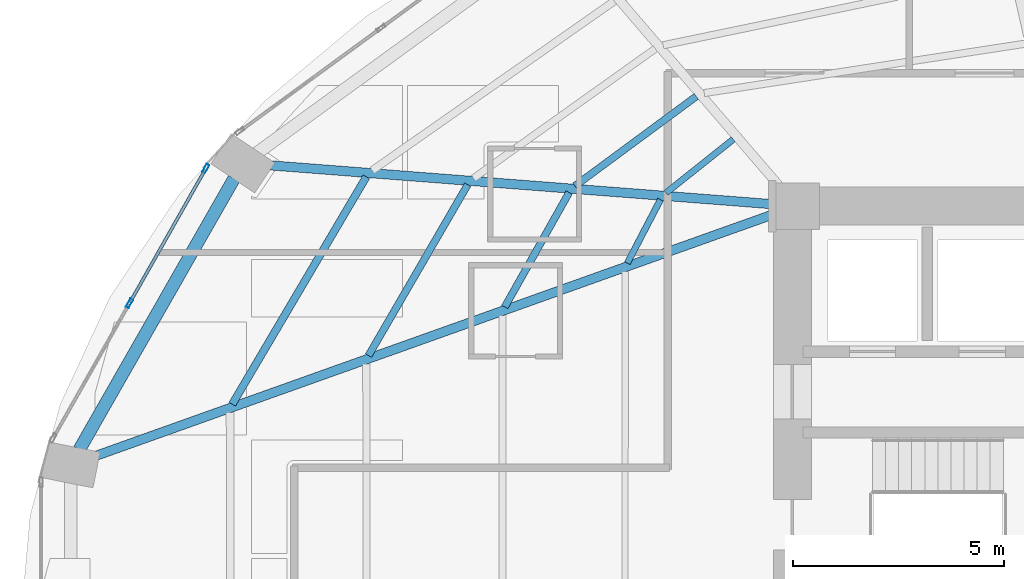
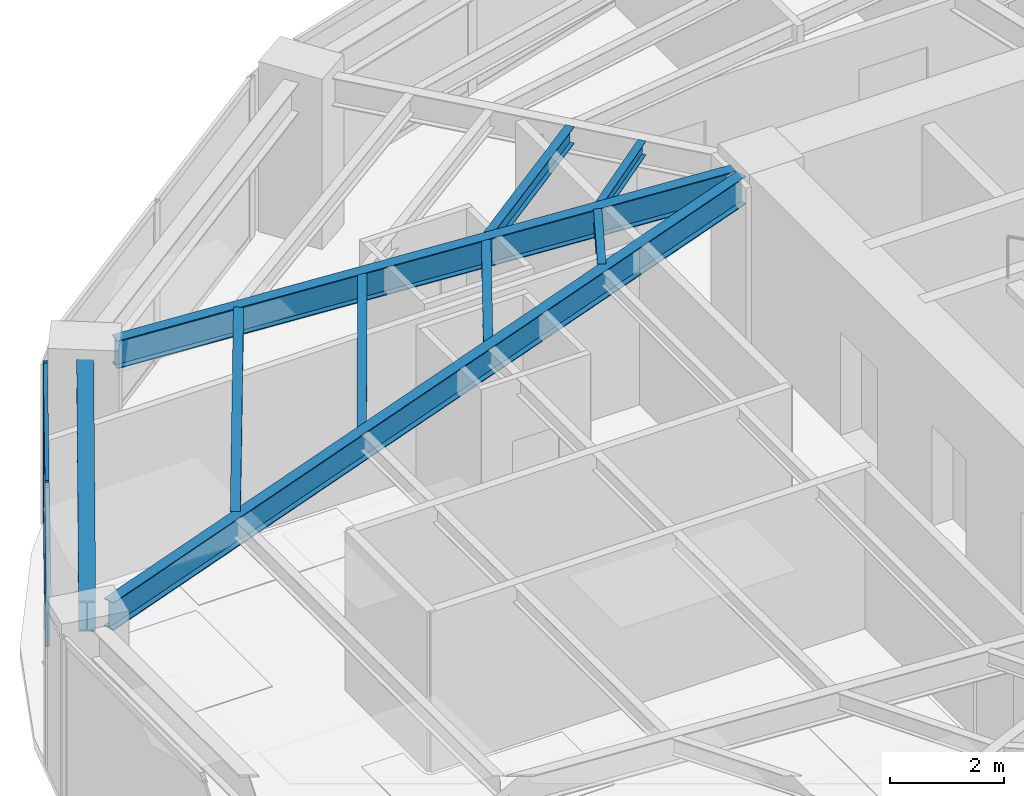
# One storey, part 9 of 25: 9 beams, 4 members, 1 element without a shape of its own.
"""IFC4 building model written with IfcOpenShell, lengths in metres."""

from ifc_helpers import new_model, si_unit, direction, frame, origin, origin_2d, place, context, subcontext, project, spatial, hollow_rectangle, i_section, extrude, material, layer, layer_set, material_profile, profile_set, type_object, element, aggregate, save


model = new_model("IFC4")

# Units and contexts
model_context = context("Model", 3, precision=1e-05, world=origin(), true_north=direction((0.0, 1.0)))
body_context = subcontext(model_context, "Body", "Model", "MODEL_VIEW")
ifc_project = project(units=[si_unit("LENGTHUNIT", "METRE"), si_unit("AREAUNIT", "SQUARE_METRE"), si_unit("VOLUMEUNIT", "CUBIC_METRE"), si_unit("PLANEANGLEUNIT", "RADIAN"), si_unit("MASSUNIT", "GRAM", prefix="KILO")], contexts=[model_context])

# Site, building, storey
site_placement = place(None, origin())
site = spatial("IfcSite", under=ifc_project, at=site_placement, CompositionType="ELEMENT")
building_placement = place(site_placement, origin())
building = spatial("IfcBuilding", under=site, at=building_placement, Name="Lazwardi Medical Tower", CompositionType="ELEMENT")
storey_placement = place(building_placement, frame((0.0, 0.0, 50.736083984375)))
storey = spatial("IfcBuildingStorey", under=building, at=storey_placement, Name="L12", CompositionType="ELEMENT", Elevation=50.736083984375)

# Beams
ifc_material_1 = material(Name="Steel S355", Category="steel")
ifc_material_profile_1 = material_profile(ifc_material_1, i_section(OverallWidth=0.300048828125, OverallDepth=0.64990234375, WebThickness=0.01611328125, FlangeThickness=0.031005859375, at=origin_2d()), Name="HEB 650")
ifc_profile_set_1 = profile_set([ifc_material_profile_1], Name="Steel S355")
beam_type_1 = type_object("IfcBeamType", Name="BM-RB-Z1", PredefinedType="BEAM", material=ifc_profile_set_1)
beam_1_placement = place(storey_placement, frame((13.072021484375, 36.24951171875, 3.10302734375), z_axis=(-0.495829348644, -0.868419977328, 0.0), x_axis=(0.868419977328, -0.495829348644, 0.0)))
element("IfcBeam", 1, at=beam_1_placement, inside=storey, type_object=beam_type_1, Name="Ring beam RB-02 B11 L12", PredefinedType="BEAM", context=body_context, shape_type="SweptSolid", body=[
    extrude(i_section(OverallWidth=0.300048828125, OverallDepth=0.64990234375, WebThickness=0.01611328125, FlangeThickness=0.031005859375, at=origin_2d()), origin(), (0.0, 0.0, 1.0), 7.38916015625),
])
ifc_material_profile_2 = material_profile(ifc_material_1, i_section(OverallWidth=0.219970703125, OverallDepth=0.60009765625, WebThickness=0.011962890625, FlangeThickness=0.01904296875, at=origin_2d()), Name="IPE 600")
ifc_profile_set_2 = profile_set([ifc_material_profile_2], Name="Steel S355")
beam_type_2 = type_object("IfcBeamType", Name="BM-RG-W1", PredefinedType="BEAM", material=ifc_profile_set_2)
beam_2_placement = place(storey_placement, frame((13.8583984375, 36.569580078125, 3.1279296875), z_axis=(0.997024241118, -0.077088667283, 0.0), x_axis=(0.077088667283, 0.997024241118, 0.0)))
element("IfcBeam", 2, at=beam_2_placement, inside=storey, type_object=beam_type_2, Name="Radial girder RG-02 R11 L12", PredefinedType="BEAM", context=body_context, shape_type="SweptSolid", body=[
    extrude(i_section(OverallWidth=0.219970703125, OverallDepth=0.60009765625, WebThickness=0.011962890625, FlangeThickness=0.01904296875, at=origin_2d()), origin(), (0.0, 0.0, 1.0), 12.044189453125),
])
beam_3_placement = place(storey_placement, frame((9.746337890625, 29.66259765625, 3.1279296875), z_axis=(0.941925080425, 0.335823082688, 0.0), x_axis=(-0.335823082688, 0.941925080425, 0.0)))
element("IfcBeam", 3, at=beam_3_placement, inside=storey, type_object=beam_type_2, Name="Radial girder RG-02 R12 L12", PredefinedType="BEAM", context=body_context, shape_type="SweptSolid", body=[
    extrude(i_section(OverallWidth=0.219970703125, OverallDepth=0.60009765625, WebThickness=0.011962890625, FlangeThickness=0.01904296875, at=origin_2d()), origin(), (0.0, 0.0, 1.0), 17.145263671875),
])
ifc_material_profile_3 = material_profile(ifc_material_1, i_section(OverallWidth=0.179931640625, OverallDepth=0.39990234375, WebThickness=0.008544921875, FlangeThickness=0.013427734375, at=origin_2d()), Name="IPE 400")
ifc_profile_set_3 = profile_set([ifc_material_profile_3], Name="Steel S355")
beam_type_3 = type_object("IfcBeamType", Name="BM-SJ-01", PredefinedType="JOIST", material=ifc_profile_set_3)
beam_4_placement = place(storey_placement, frame((16.206787109375, 36.29345703125, 3.22802734375), z_axis=(-0.507886270937, -0.861424132349, 0.0), x_axis=(0.861424132349, -0.507886270937, 0.0)))
element("IfcBeam", 4, at=beam_4_placement, inside=storey, type_object=beam_type_3, Name="Secondary joist SJ-01 R1 B11 L12", PredefinedType="JOIST", context=body_context, shape_type="SweptSolid", body=[
    extrude(i_section(OverallWidth=0.179931640625, OverallDepth=0.39990234375, WebThickness=0.008544921875, FlangeThickness=0.013427734375, at=origin_2d()), origin(), (0.0, 0.0, 1.0), 6.255859375),
])
ifc_material_profile_4 = material_profile(ifc_material_1, i_section(OverallWidth=0.169921875, OverallDepth=0.360107421875, WebThickness=0.008056640625, FlangeThickness=0.0126953125, at=origin_2d()), Name="IPE 360")
ifc_profile_set_4 = profile_set([ifc_material_profile_4], Name="Steel S355")
beam_type_4 = type_object("IfcBeamType", Name="BM-SJ-02", PredefinedType="JOIST", material=ifc_profile_set_4)
beam_5_placement = place(storey_placement, frame((18.60888671875, 36.107421875, 3.247802734375), z_axis=(-0.501798442848, -0.86498457949, 0.0), x_axis=(0.86498457949, -0.501798442848, 0.0)))
element("IfcBeam", 5, at=beam_5_placement, inside=storey, type_object=beam_type_4, Name="Secondary joist SJ-02 R2 B11 L12", PredefinedType="JOIST", context=body_context, shape_type="SweptSolid", body=[
    extrude(i_section(OverallWidth=0.169921875, OverallDepth=0.360107421875, WebThickness=0.008056640625, FlangeThickness=0.0126953125, at=origin_2d()), origin(), (0.0, 0.0, 1.0), 4.683349609375),
])
beam_6_placement = place(storey_placement, frame((24.025146484375, 38.19873046875, 3.247802734375), z_axis=(-0.804580292353, -0.593843879448, 0.0), x_axis=(0.593843879448, -0.804580292353, 0.0)))
element("IfcBeam", 6, at=beam_6_placement, inside=storey, type_object=beam_type_4, Name="Secondary joist SJ-02 R3 B10 L12", PredefinedType="JOIST", context=body_context, shape_type="SweptSolid", body=[
    extrude(i_section(OverallWidth=0.169921875, OverallDepth=0.360107421875, WebThickness=0.008056640625, FlangeThickness=0.0126953125, at=origin_2d()), origin(), (0.0, 0.0, 1.0), 3.576416015625),
])
beam_7_placement = place(storey_placement, frame((21.011962890625, 35.9208984375, 3.247802734375), z_axis=(-0.489974339037, -0.87173685656, 0.0), x_axis=(0.87173685656, -0.489974339037, 0.0)))
element("IfcBeam", 7, at=beam_7_placement, inside=storey, type_object=beam_type_4, Name="Secondary joist SJ-02 R3 B11 L12", PredefinedType="JOIST", context=body_context, shape_type="SweptSolid", body=[
    extrude(i_section(OverallWidth=0.169921875, OverallDepth=0.360107421875, WebThickness=0.008056640625, FlangeThickness=0.0126953125, at=origin_2d()), origin(), (0.0, 0.0, 1.0), 3.111328125),
])
ifc_material_profile_5 = material_profile(ifc_material_1, i_section(OverallWidth=0.14990234375, OverallDepth=0.300048828125, WebThickness=0.007080078125, FlangeThickness=0.0107421875, at=origin_2d()), Name="IPE 300")
ifc_profile_set_5 = profile_set([ifc_material_profile_5], Name="Steel S355")
beam_type_5 = type_object("IfcBeamType", Name="BM-SJ-03", PredefinedType="JOIST", material=ifc_profile_set_5)
beam_8_placement = place(storey_placement, frame((24.901123046875, 37.1806640625, 3.27783203125), z_axis=(-0.782210957226, -0.623013658274, 0.0), x_axis=(0.623013658274, -0.782210957226, 0.0)))
element("IfcBeam", 8, at=beam_8_placement, inside=storey, type_object=beam_type_5, Name="Secondary joist SJ-03 R4 B10 L12", PredefinedType="JOIST", context=body_context, shape_type="SweptSolid", body=[
    extrude(i_section(OverallWidth=0.14990234375, OverallDepth=0.300048828125, WebThickness=0.007080078125, FlangeThickness=0.0107421875, at=origin_2d()), origin(), (0.0, 0.0, 1.0), 2.0380859375),
])
beam_9_placement = place(storey_placement, frame((23.17626953125, 35.752197265625, 3.27783203125), z_axis=(-0.462162985948, -0.88679500135, 0.0), x_axis=(0.88679500135, -0.462162985948, 0.0)))
element("IfcBeam", 9, at=beam_9_placement, inside=storey, type_object=beam_type_5, Name="Secondary joist SJ-03 R4 B11 L12", PredefinedType="JOIST", context=body_context, shape_type="SweptSolid", body=[
    extrude(i_section(OverallWidth=0.14990234375, OverallDepth=0.300048828125, WebThickness=0.007080078125, FlangeThickness=0.0107421875, at=origin_2d()), origin(), (0.0, 0.0, 1.0), 1.69775390625),
])

# Curtain wall, members
ifc_material_2 = material(Name="Anodised bronze aluminium and solar control glazing", Category="aluminium")
ifc_layer = layer(ifc_material_2, 0.199951171875)
ifc_layer_set = layer_set([ifc_layer], Name="Anodised bronze aluminium and solar control glazing")
curtain_wall_type = type_object("IfcCurtainWallType", Name="CW-SYS-02", PredefinedType="NOTDEFINED", material=ifc_layer_set)
curtain_wall_placement = place(storey_placement, origin())
curtain_wall = element("IfcCurtainWall", 10, at=curtain_wall_placement, inside=storey, type_object=curtain_wall_type, Name="L12 Unitised bronze curtain wall CW-02", PredefinedType="NOTDEFINED")
ifc_material_3 = material(Name="Anodised bronze aluminium", Category="aluminium")
ifc_material_profile_6 = material_profile(ifc_material_3, hollow_rectangle(XDim=0.074951171875, YDim=0.219970703125, WallThickness=0.00390625, at=origin_2d()), Name="ALU-MULLION 220x75x4")
ifc_profile_set_6 = profile_set([ifc_material_profile_6], Name="Anodised bronze aluminium")
member_type_1 = type_object("IfcMemberType", Name="CW-MUL-01", PredefinedType="MULLION", material=ifc_profile_set_6)
member_1_placement = place(storey_placement, frame((12.4033203125, 36.488525390625, 0.0), z_axis=(0.0, 0.0, 1.0), x_axis=(0.870111838823, -0.492854327303, 0.0)))
member_1 = element("IfcMember", 11, at=member_1_placement, type_object=member_type_1, Name="CW-02 mullion 1", PredefinedType="MULLION", context=body_context, shape_type="SweptSolid", body=[
    extrude(hollow_rectangle(XDim=0.074951171875, YDim=0.219970703125, WallThickness=0.00390625, at=origin_2d()), origin(), (0.0, 0.0, 1.0), 3.427978515625),
])
member_2_placement = place(storey_placement, frame((10.5947265625, 33.29541015625, 0.0), z_axis=(0.0, 0.0, 1.0), x_axis=(0.870111838823, -0.492854327303, 0.0)))
member_2 = element("IfcMember", 12, at=member_2_placement, type_object=member_type_1, Name="CW-02 mullion 2", PredefinedType="MULLION", context=body_context, shape_type="SweptSolid", body=[
    extrude(hollow_rectangle(XDim=0.074951171875, YDim=0.219970703125, WallThickness=0.00390625, at=origin_2d()), origin(), (0.0, 0.0, 1.0), 3.427978515625),
])
ifc_material_profile_7 = material_profile(ifc_material_3, hollow_rectangle(XDim=0.074951171875, YDim=0.159912109375, WallThickness=0.00390625, at=origin_2d()), Name="ALU-TRANSOM 160x75x4")
ifc_profile_set_7 = profile_set([ifc_material_profile_7], Name="Anodised bronze aluminium")
member_type_2 = type_object("IfcMemberType", Name="CW-TRN-01", PredefinedType="USERDEFINED", material=ifc_profile_set_7)
member_3_placement = place(storey_placement, frame((12.384765625, 36.4560546875, 0.037353515625), z_axis=(-0.49285148925, -0.870113446365, 0.0), x_axis=(0.870113446365, -0.49285148925, 0.0)))
member_3 = element("IfcMember", 13, at=member_3_placement, type_object=member_type_2, Name="CW-02 transom 1.1", ObjectType="TRANSOM", PredefinedType="USERDEFINED", context=body_context, shape_type="SweptSolid", body=[
    extrude(hollow_rectangle(XDim=0.074951171875, YDim=0.159912109375, WallThickness=0.00390625, at=origin_2d()), origin(), (0.0, 0.0, 1.0), 3.594970703125),
])
member_4_placement = place(storey_placement, frame((12.384765625, 36.4560546875, 3.390380859375), z_axis=(-0.49285148925, -0.870113446365, 0.0), x_axis=(0.870113446365, -0.49285148925, 0.0)))
member_4 = element("IfcMember", 14, at=member_4_placement, type_object=member_type_2, Name="CW-02 transom 1.2", ObjectType="TRANSOM", PredefinedType="USERDEFINED", context=body_context, shape_type="SweptSolid", body=[
    extrude(hollow_rectangle(XDim=0.074951171875, YDim=0.159912109375, WallThickness=0.00390625, at=origin_2d()), origin(), (0.0, 0.0, 1.0), 3.594970703125),
])
aggregate(curtain_wall, [member_1, member_2, member_3, member_4])

save(model, "model.ifc")
